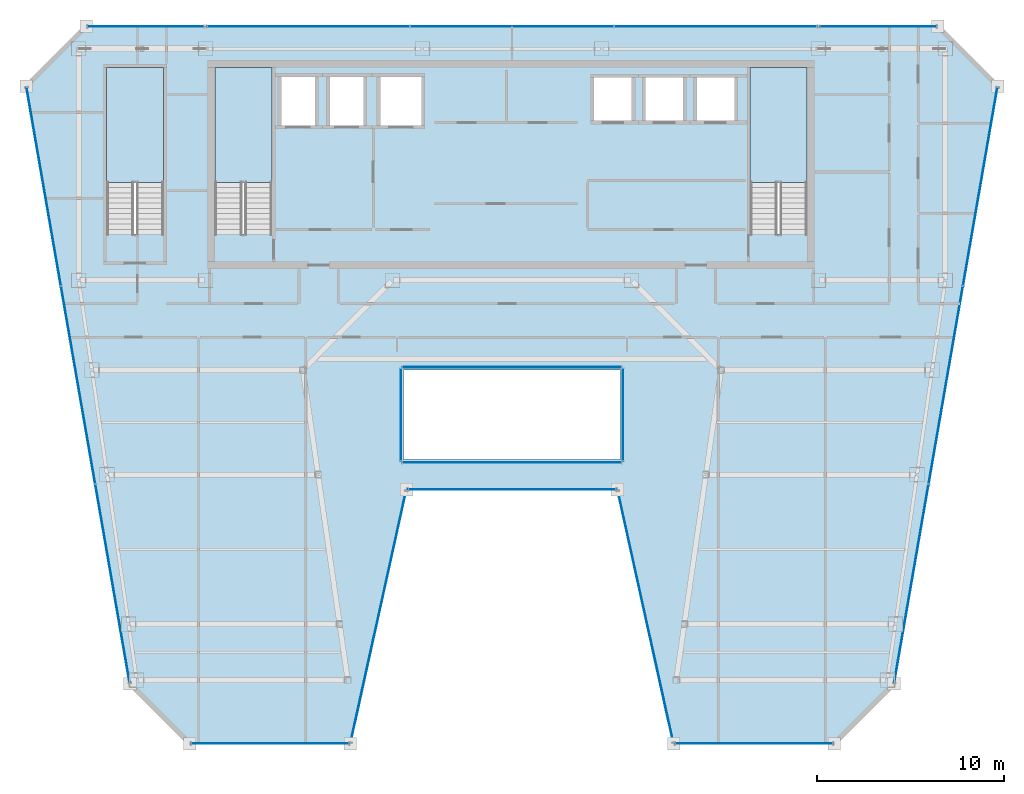
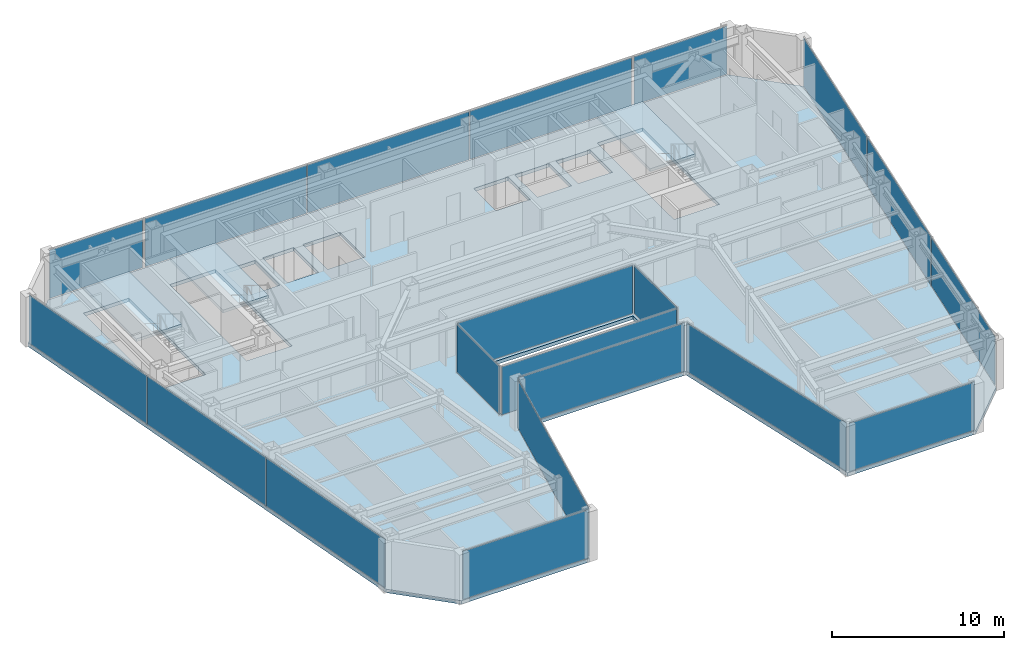
# One storey, part 24 of 32: 20 plates, 4 slabs, 17 elements without a shape of their own.
"""IFC4 building model written with IfcOpenShell, lengths in metres."""

from ifc_helpers import new_model, si_unit, direction, frame, origin, origin_2d, place, context, subcontext, project, spatial, polyline, rectangle, outline, extrude, material, layer, layer_set, type_object, element, aggregate, save


model = new_model("IFC4")

# Units and contexts
model_context = context("Model", 3, precision=1e-05, world=origin(), true_north=direction((0.0, 1.0)))
body_context = subcontext(model_context, "Body", "Model", "MODEL_VIEW")
ifc_project = project(units=[si_unit("LENGTHUNIT", "METRE"), si_unit("AREAUNIT", "SQUARE_METRE"), si_unit("VOLUMEUNIT", "CUBIC_METRE"), si_unit("PLANEANGLEUNIT", "RADIAN"), si_unit("MASSUNIT", "GRAM", prefix="KILO")], contexts=[model_context])

# Site, building, storey
site_placement = place(None, origin())
site = spatial("IfcSite", under=ifc_project, at=site_placement, CompositionType="ELEMENT")
building_placement = place(site_placement, origin())
building = spatial("IfcBuilding", under=site, at=building_placement, Name="Saevonmaru Cultural Tower", CompositionType="ELEMENT")
storey_placement = place(building_placement, frame((0.0, 0.0, 245.800048828125)))
storey = spatial("IfcBuildingStorey", under=building, at=storey_placement, Name="L57", CompositionType="ELEMENT", Elevation=245.800048828125)

# Curtain wall, plate
ifc_material_1 = material(Name="Satin Bronze Anodised Aluminium", Category="aluminium")
curtain_wall_type_1 = type_object("IfcCurtainWallType", Name="CW-ATR-GLZ", PredefinedType="NOTDEFINED", material=ifc_material_1)
curtain_wall_1_placement = place(storey_placement, origin())
curtain_wall_1 = element("IfcCurtainWall", 1, at=curtain_wall_1_placement, inside=storey, type_object=curtain_wall_type_1, Name="L57 Vertical Atrium Glazed Smoke Screen 1", PredefinedType="NOTDEFINED")
ifc_material_2 = material(Name="Fire-Rated Laminated Atrium Glass", Category="glass")
ifc_layer_1 = layer(ifc_material_2, 0.031982421875, Name="Fire-Rated Laminated Atrium Glass")
ifc_layer_set_1 = layer_set([ifc_layer_1], Name="Fire-Rated Laminated Atrium Glass")
plate_type_1 = type_object("IfcPlateType", Name="PN-GLZ-ATR-INT", PredefinedType="CURTAIN_PANEL", material=ifc_layer_set_1)
plate_1_placement = place(storey_placement, frame((30.0, 32.64990234375, 0.06689453125), z_axis=(0.0, 0.0, 1.0), x_axis=(1.0, 0.0, 0.0)))
plate_1 = element("IfcPlate", 2, at=plate_1_placement, type_object=plate_type_1, Name="CW-ATR-L57-1 panel 1.1", PredefinedType="CURTAIN_PANEL", context=body_context, shape_type="SweptSolid", body=[
    extrude(rectangle(XDim=11.7109375, YDim=0.031982421875, at=origin_2d()), origin(), (0.0, 0.0, 1.0), 3.416015625),
])
aggregate(curtain_wall_1, [plate_1])

curtain_wall_2_placement = place(storey_placement, origin())
curtain_wall_2 = element("IfcCurtainWall", 3, at=curtain_wall_2_placement, inside=storey, type_object=curtain_wall_type_1, Name="L57 Vertical Atrium Glazed Smoke Screen 2", PredefinedType="NOTDEFINED")
plate_2_placement = place(storey_placement, frame((35.949951171875, 35.199951171875, 0.06689453125), z_axis=(0.0, 0.0, 1.0), x_axis=(0.0, 1.0, 0.0)))
plate_2 = element("IfcPlate", 4, at=plate_2_placement, type_object=plate_type_1, Name="CW-ATR-L57-2 panel 1.1", PredefinedType="CURTAIN_PANEL", context=body_context, shape_type="SweptSolid", body=[
    extrude(rectangle(XDim=4.910888671875, YDim=0.031982421875, at=origin_2d()), origin(), (0.0, 0.0, 1.0), 3.416015625),
])
aggregate(curtain_wall_2, [plate_2])

curtain_wall_3_placement = place(storey_placement, origin())
curtain_wall_3 = element("IfcCurtainWall", 5, at=curtain_wall_3_placement, inside=storey, type_object=curtain_wall_type_1, Name="L57 Vertical Atrium Glazed Smoke Screen 3", PredefinedType="NOTDEFINED")
plate_3_placement = place(storey_placement, frame((30.0, 37.75, 0.06689453125), z_axis=(0.0, 0.0, 1.0), x_axis=(-1.0, 0.0, 0.0)))
plate_3 = element("IfcPlate", 6, at=plate_3_placement, type_object=plate_type_1, Name="CW-ATR-L57-3 panel 1.1", PredefinedType="CURTAIN_PANEL", context=body_context, shape_type="SweptSolid", body=[
    extrude(rectangle(XDim=11.7109375, YDim=0.031982421875, at=origin_2d()), origin(), (0.0, 0.0, 1.0), 3.416015625),
])
aggregate(curtain_wall_3, [plate_3])

curtain_wall_4_placement = place(storey_placement, origin())
curtain_wall_4 = element("IfcCurtainWall", 7, at=curtain_wall_4_placement, inside=storey, type_object=curtain_wall_type_1, Name="L57 Vertical Atrium Glazed Smoke Screen 4", PredefinedType="NOTDEFINED")
plate_4_placement = place(storey_placement, frame((24.050048828125, 35.199951171875, 0.06689453125), z_axis=(0.0, 0.0, 1.0), x_axis=(0.0, -1.0, 0.0)))
plate_4 = element("IfcPlate", 8, at=plate_4_placement, type_object=plate_type_1, Name="CW-ATR-L57-4 panel 1.1", PredefinedType="CURTAIN_PANEL", context=body_context, shape_type="SweptSolid", body=[
    extrude(rectangle(XDim=4.910888671875, YDim=0.031982421875, at=origin_2d()), origin(), (0.0, 0.0, 1.0), 3.416015625),
])
aggregate(curtain_wall_4, [plate_4])

curtain_wall_type_2 = type_object("IfcCurtainWallType", Name="CW-TYP-B", PredefinedType="NOTDEFINED", material=ifc_material_1)
curtain_wall_5_placement = place(storey_placement, origin())
curtain_wall_5 = element("IfcCurtainWall", 9, at=curtain_wall_5_placement, inside=storey, type_object=curtain_wall_type_2, Name="L57 Unitised Curtain Wall E2", PredefinedType="NOTDEFINED")
ifc_material_3 = material(Name="Triple Silver Low-E Insulating Glass", Category="glass")
ifc_layer_2 = layer(ifc_material_3, 0.035888671875, Name="Triple Silver Low-E Insulating Glass")
ifc_layer_set_2 = layer_set([ifc_layer_2], Name="Triple Silver Low-E Insulating Glass")
plate_type_2 = type_object("IfcPlateType", Name="PN-GLZ-IGU", PredefinedType="CURTAIN_PANEL", material=ifc_layer_set_2)
plate_5_placement = place(storey_placement, frame((17.046630859375, 17.60009765625, 0.06689453125), z_axis=(0.0, 0.0, 1.0), x_axis=(1.0, 0.0, 0.0)))
plate_5 = element("IfcPlate", 10, at=plate_5_placement, type_object=plate_type_2, Name="CW-TW-L57-E2 panel 1.1", PredefinedType="CURTAIN_PANEL", context=body_context, shape_type="SweptSolid", body=[
    extrude(rectangle(XDim=8.410888671875, YDim=0.035888671875, at=origin_2d()), origin(), (0.0, 0.0, 1.0), 3.416015625),
])
aggregate(curtain_wall_5, [plate_5])

curtain_wall_6_placement = place(storey_placement, origin())
curtain_wall_6 = element("IfcCurtainWall", 11, at=curtain_wall_6_placement, inside=storey, type_object=curtain_wall_type_2, Name="L57 Unitised Curtain Wall E3", PredefinedType="NOTDEFINED")
plate_6_placement = place(storey_placement, frame((22.8466796875, 24.39990234375, 0.06689453125), z_axis=(0.0, 0.0, 1.0), x_axis=(0.215413319953, 0.976522965212, 0.0)))
plate_6 = element("IfcPlate", 12, at=plate_6_placement, type_object=plate_type_2, Name="CW-TW-L57-E3 panel 1.1", PredefinedType="CURTAIN_PANEL", context=body_context, shape_type="SweptSolid", body=[
    extrude(rectangle(XDim=13.738037109375, YDim=0.035888671875, at=origin_2d()), origin(), (0.0, 0.0, 1.0), 3.416015625),
])
aggregate(curtain_wall_6, [plate_6])

curtain_wall_7_placement = place(storey_placement, origin())
curtain_wall_7 = element("IfcCurtainWall", 13, at=curtain_wall_7_placement, inside=storey, type_object=curtain_wall_type_2, Name="L57 Unitised Curtain Wall E4", PredefinedType="NOTDEFINED")
plate_7_placement = place(storey_placement, frame((30.0, 31.199951171875, 0.06689453125), z_axis=(0.0, 0.0, 1.0), x_axis=(1.0, 0.0, 0.0)))
plate_7 = element("IfcPlate", 14, at=plate_7_placement, type_object=plate_type_2, Name="CW-TW-L57-E4 panel 1.1", PredefinedType="CURTAIN_PANEL", context=body_context, shape_type="SweptSolid", body=[
    extrude(rectangle(XDim=11.11767578125, YDim=0.035888671875, at=origin_2d()), origin(), (0.0, 0.0, 1.0), 3.416015625),
])
aggregate(curtain_wall_7, [plate_7])

curtain_wall_8_placement = place(storey_placement, origin())
curtain_wall_8 = element("IfcCurtainWall", 15, at=curtain_wall_8_placement, inside=storey, type_object=curtain_wall_type_2, Name="L57 Unitised Curtain Wall E5", PredefinedType="NOTDEFINED")
plate_8_placement = place(storey_placement, frame((37.1533203125, 24.39990234375, 0.06689453125), z_axis=(0.0, 0.0, 1.0), x_axis=(0.215413319953, -0.976522965212, 0.0)))
plate_8 = element("IfcPlate", 16, at=plate_8_placement, type_object=plate_type_2, Name="CW-TW-L57-E5 panel 1.1", PredefinedType="CURTAIN_PANEL", context=body_context, shape_type="SweptSolid", body=[
    extrude(rectangle(XDim=13.738037109375, YDim=0.035888671875, at=origin_2d()), origin(), (0.0, 0.0, 1.0), 3.416015625),
])
aggregate(curtain_wall_8, [plate_8])

curtain_wall_9_placement = place(storey_placement, origin())
curtain_wall_9 = element("IfcCurtainWall", 17, at=curtain_wall_9_placement, inside=storey, type_object=curtain_wall_type_2, Name="L57 Unitised Curtain Wall E6", PredefinedType="NOTDEFINED")
plate_9_placement = place(storey_placement, frame((42.953369140625, 17.60009765625, 0.06689453125), z_axis=(0.0, 0.0, 1.0), x_axis=(1.0, 0.0, 0.0)))
plate_9 = element("IfcPlate", 18, at=plate_9_placement, type_object=plate_type_2, Name="CW-TW-L57-E6 panel 1.1", PredefinedType="CURTAIN_PANEL", context=body_context, shape_type="SweptSolid", body=[
    extrude(rectangle(XDim=8.410888671875, YDim=0.035888671875, at=origin_2d()), origin(), (0.0, 0.0, 1.0), 3.416015625),
])
aggregate(curtain_wall_9, [plate_9])

# Curtain wall, plates
curtain_wall_10_placement = place(storey_placement, origin())
curtain_wall_10 = element("IfcCurtainWall", 19, at=curtain_wall_10_placement, inside=storey, type_object=curtain_wall_type_2, Name="L57 Unitised Curtain Wall E8", PredefinedType="NOTDEFINED")
plate_10_placement = place(storey_placement, frame((51.384521484375, 26.1728515625, 0.06689453125), z_axis=(0.0, 0.0, 1.0), x_axis=(0.170790369887, 0.985307388359, 0.0)))
plate_10 = element("IfcPlate", 20, at=plate_10_placement, type_object=plate_type_2, Name="CW-TW-L57-E8 panel 1.1", PredefinedType="CURTAIN_PANEL", context=body_context, shape_type="SweptSolid", body=[
    extrude(rectangle(XDim=10.716796875, YDim=0.035888671875, at=origin_2d()), origin(), (0.0, 0.0, 1.0), 3.416015625),
])
plate_11_placement = place(storey_placement, frame((53.2265625, 36.800048828125, 0.06689453125), z_axis=(0.0, 0.0, 1.0), x_axis=(0.170790369887, 0.985307388359, 0.0)))
plate_11 = element("IfcPlate", 21, at=plate_11_placement, type_object=plate_type_2, Name="CW-TW-L57-E8 panel 2.1", PredefinedType="CURTAIN_PANEL", context=body_context, shape_type="SweptSolid", body=[
    extrude(rectangle(XDim=10.716796875, YDim=0.035888671875, at=origin_2d()), origin(), (0.0, 0.0, 1.0), 3.416015625),
])
plate_12_placement = place(storey_placement, frame((55.06884765625, 47.42724609375, 0.06689453125), z_axis=(0.0, 0.0, 1.0), x_axis=(0.170790369887, 0.985307388359, 0.0)))
plate_12 = element("IfcPlate", 22, at=plate_12_placement, type_object=plate_type_2, Name="CW-TW-L57-E8 panel 3.1", PredefinedType="CURTAIN_PANEL", context=body_context, shape_type="SweptSolid", body=[
    extrude(rectangle(XDim=10.716796875, YDim=0.035888671875, at=origin_2d()), origin(), (0.0, 0.0, 1.0), 3.416015625),
])
aggregate(curtain_wall_10, [plate_10, plate_11, plate_12])

curtain_wall_11_placement = place(storey_placement, origin())
curtain_wall_11 = element("IfcCurtainWall", 23, at=curtain_wall_11_placement, inside=storey, type_object=curtain_wall_type_2, Name="L57 North Spine Unitised Curtain Wall E10B", PredefinedType="NOTDEFINED")
plate_13_placement = place(storey_placement, frame((40.893310546875, 56.0, 0.06689453125), z_axis=(0.0, 0.0, 1.0), x_axis=(-1.0, 0.0, 0.0)))
plate_13 = element("IfcPlate", 24, at=plate_13_placement, type_object=plate_type_2, Name="CW-TW-L57-E10B panel 1.1", PredefinedType="CURTAIN_PANEL", context=body_context, shape_type="SweptSolid", body=[
    extrude(rectangle(XDim=10.82421875, YDim=0.035888671875, at=origin_2d()), origin(), (0.0, 0.0, 1.0), 3.416015625),
])
plate_14_placement = place(storey_placement, frame((30.0, 56.0, 0.06689453125), z_axis=(0.0, 0.0, 1.0), x_axis=(-1.0, 0.0, 0.0)))
plate_14 = element("IfcPlate", 25, at=plate_14_placement, type_object=plate_type_2, Name="CW-TW-L57-E10B panel 2.1", PredefinedType="CURTAIN_PANEL", context=body_context, shape_type="SweptSolid", body=[
    extrude(rectangle(XDim=10.82421875, YDim=0.035888671875, at=origin_2d()), origin(), (0.0, 0.0, 1.0), 3.416015625),
])
plate_15_placement = place(storey_placement, frame((19.106689453125, 56.0, 0.06689453125), z_axis=(0.0, 0.0, 1.0), x_axis=(-1.0, 0.0, 0.0)))
plate_15 = element("IfcPlate", 26, at=plate_15_placement, type_object=plate_type_2, Name="CW-TW-L57-E10B panel 3.1", PredefinedType="CURTAIN_PANEL", context=body_context, shape_type="SweptSolid", body=[
    extrude(rectangle(XDim=10.82421875, YDim=0.035888671875, at=origin_2d()), origin(), (0.0, 0.0, 1.0), 3.416015625),
])
aggregate(curtain_wall_11, [plate_13, plate_14, plate_15])

curtain_wall_12_placement = place(storey_placement, origin())
curtain_wall_12 = element("IfcCurtainWall", 27, at=curtain_wall_12_placement, inside=storey, type_object=curtain_wall_type_2, Name="L57 Unitised Curtain Wall E12", PredefinedType="NOTDEFINED")
plate_16_placement = place(storey_placement, frame((4.93115234375, 47.42724609375, 0.06689453125), z_axis=(0.0, 0.0, 1.0), x_axis=(0.170790369887, -0.985307388359, 0.0)))
plate_16 = element("IfcPlate", 28, at=plate_16_placement, type_object=plate_type_2, Name="CW-TW-L57-E12 panel 1.1", PredefinedType="CURTAIN_PANEL", context=body_context, shape_type="SweptSolid", body=[
    extrude(rectangle(XDim=10.716796875, YDim=0.035888671875, at=origin_2d()), origin(), (0.0, 0.0, 1.0), 3.416015625),
])
plate_17_placement = place(storey_placement, frame((6.7734375, 36.800048828125, 0.06689453125), z_axis=(0.0, 0.0, 1.0), x_axis=(0.170790369887, -0.985307388359, 0.0)))
plate_17 = element("IfcPlate", 29, at=plate_17_placement, type_object=plate_type_2, Name="CW-TW-L57-E12 panel 2.1", PredefinedType="CURTAIN_PANEL", context=body_context, shape_type="SweptSolid", body=[
    extrude(rectangle(XDim=10.716796875, YDim=0.035888671875, at=origin_2d()), origin(), (0.0, 0.0, 1.0), 3.416015625),
])
plate_18_placement = place(storey_placement, frame((8.615478515625, 26.1728515625, 0.06689453125), z_axis=(0.0, 0.0, 1.0), x_axis=(0.170790369887, -0.985307388359, 0.0)))
plate_18 = element("IfcPlate", 30, at=plate_18_placement, type_object=plate_type_2, Name="CW-TW-L57-E12 panel 3.1", PredefinedType="CURTAIN_PANEL", context=body_context, shape_type="SweptSolid", body=[
    extrude(rectangle(XDim=10.716796875, YDim=0.035888671875, at=origin_2d()), origin(), (0.0, 0.0, 1.0), 3.416015625),
])
aggregate(curtain_wall_12, [plate_16, plate_17, plate_18])

# Curtain wall, plate
curtain_wall_13_placement = place(storey_placement, origin())
curtain_wall_13 = element("IfcCurtainWall", 31, at=curtain_wall_13_placement, inside=storey, type_object=curtain_wall_type_2, Name="L57 East Braced Bay Spandrel Curtain Wall E10A", PredefinedType="NOTDEFINED")
ifc_material_4 = material(Name="Insulated Satin Bronze Aluminium Spandrel Panel", Category="aluminium")
ifc_layer_3 = layer(ifc_material_4, 0.0400390625, Name="Insulated Satin Bronze Aluminium Spandrel Panel")
ifc_layer_set_3 = layer_set([ifc_layer_3], Name="Insulated Satin Bronze Aluminium Spandrel Panel")
plate_type_3 = type_object("IfcPlateType", Name="PN-SPANDREL-BRONZE", PredefinedType="CURTAIN_PANEL", material=ifc_layer_set_3)
plate_19_placement = place(storey_placement, frame((49.60009765625, 56.0, 0.06689453125), z_axis=(0.0, 0.0, 1.0), x_axis=(-1.0, 0.0, 0.0)))
plate_19 = element("IfcPlate", 32, at=plate_19_placement, type_object=plate_type_3, Name="CW-TW-L57-E10A panel 1.1", PredefinedType="CURTAIN_PANEL", context=body_context, shape_type="SweptSolid", body=[
    extrude(rectangle(XDim=6.2109375, YDim=0.035888671875, at=origin_2d()), origin(), (0.0, 0.0, 1.0), 3.416015625),
])
aggregate(curtain_wall_13, [plate_19])

curtain_wall_14_placement = place(storey_placement, origin())
curtain_wall_14 = element("IfcCurtainWall", 33, at=curtain_wall_14_placement, inside=storey, type_object=curtain_wall_type_2, Name="L57 West Braced Bay Spandrel Curtain Wall E10C", PredefinedType="NOTDEFINED")
plate_20_placement = place(storey_placement, frame((10.39990234375, 56.0, 0.06689453125), z_axis=(0.0, 0.0, 1.0), x_axis=(-1.0, 0.0, 0.0)))
plate_20 = element("IfcPlate", 34, at=plate_20_placement, type_object=plate_type_3, Name="CW-TW-L57-E10C panel 1.1", PredefinedType="CURTAIN_PANEL", context=body_context, shape_type="SweptSolid", body=[
    extrude(rectangle(XDim=6.2109375, YDim=0.035888671875, at=origin_2d()), origin(), (0.0, 0.0, 1.0), 3.416015625),
])
aggregate(curtain_wall_14, [plate_20])

# Slab
ifc_material_5 = material(Name="Concrete C40/50", Category="concrete")
ifc_layer_4 = layer(ifc_material_5, 0.25, Name="Concrete C40/50")
ifc_layer_set_4 = layer_set([ifc_layer_4], Name="Concrete C40/50")
slab_type_1 = type_object("IfcSlabType", Name="SL-FLR-250", PredefinedType="FLOOR", material=ifc_layer_set_4)
slab_1_placement = place(storey_placement, frame((0.0, 0.0, -0.25)))
element("IfcSlab", 35, at=slab_1_placement, inside=storey, type_object=slab_type_1, Name="L57 Tower Structural Floor Slab", PredefinedType="FLOOR", context=body_context, shape_type="SweptSolid", body=[
    extrude(outline(polyline([(9.546630859375, 20.800048828125), (12.74658203125, 17.60009765625), (21.3466796875, 17.60009765625), (24.3466796875, 31.199951171875), (35.6533203125, 31.199951171875), (38.6533203125, 17.60009765625), (47.25341796875, 17.60009765625), (50.453369140625, 20.800048828125), (56.0, 52.800048828125), (52.800048828125, 56.0), (7.199951171875, 56.0), (4.0, 52.800048828125), (9.546630859375, 20.800048828125)]), holes=[polyline([(45.800048828125, 44.875), (42.75, 44.875), (42.75, 53.800048828125), (45.800048828125, 53.800048828125), (45.800048828125, 44.875)]), polyline([(39.75, 50.800048828125), (39.75, 53.39990234375), (42.050048828125, 53.39990234375), (42.050048828125, 50.800048828125), (39.75, 50.800048828125)]), polyline([(37.0, 50.800048828125), (37.0, 53.39990234375), (39.300048828125, 53.39990234375), (39.300048828125, 50.800048828125), (37.0, 50.800048828125)]), polyline([(36.550048828125, 50.800048828125), (34.25, 50.800048828125), (34.25, 53.39990234375), (36.550048828125, 53.39990234375), (36.550048828125, 50.800048828125)]), polyline([(35.800048828125, 32.800048828125), (24.199951171875, 32.800048828125), (24.199951171875, 37.60009765625), (35.800048828125, 37.60009765625), (35.800048828125, 32.800048828125)]), polyline([(25.300048828125, 50.550048828125), (22.800048828125, 50.550048828125), (22.800048828125, 53.449951171875), (25.300048828125, 53.449951171875), (25.300048828125, 50.550048828125)]), polyline([(22.199951171875, 50.550048828125), (20.10009765625, 50.550048828125), (20.10009765625, 53.449951171875), (22.199951171875, 53.449951171875), (22.199951171875, 50.550048828125)]), polyline([(17.5, 50.550048828125), (17.5, 53.449951171875), (19.60009765625, 53.449951171875), (19.60009765625, 50.550048828125), (17.5, 50.550048828125)]), polyline([(17.14990234375, 53.800048828125), (17.14990234375, 44.875), (14.10009765625, 44.875), (14.10009765625, 53.800048828125), (17.14990234375, 53.800048828125)]), polyline([(11.35009765625, 53.800048828125), (11.35009765625, 44.875), (8.300048828125, 44.875), (8.300048828125, 53.800048828125), (11.35009765625, 53.800048828125)])]), origin(), (0.0, 0.0, 1.0), 0.25),
])

# Stair, slab
stair_type = type_object("IfcStairType", Name="STR-DOGLEG-RC", PredefinedType="HALF_TURN_STAIR", material=ifc_material_5)
stair_1_placement = place(storey_placement, origin())
stair_1 = element("IfcStair", 36, at=stair_1_placement, inside=storey, type_object=stair_type, Name="L57 Protected exit stair ST-1", PredefinedType="HALF_TURN_STAIR")
ifc_layer_5 = layer(ifc_material_5, 0.199951171875, Name="Concrete C40/50")
ifc_layer_set_5 = layer_set([ifc_layer_5], Name="Concrete C40/50")
slab_type_2 = type_object("IfcSlabType", Name="SL-STAIR-LANDING", PredefinedType="LANDING", material=ifc_layer_set_5)
slab_2_placement = place(storey_placement, frame((0.0, 0.0, 1.699951171875)))
slab_2 = element("IfcSlab", 37, at=slab_2_placement, type_object=slab_type_2, Name="ST-1-L57 landing 1", PredefinedType="LANDING", context=body_context, shape_type="SweptSolid", body=[
    extrude(outline(polyline([(17.14990234375, 47.64990234375), (17.14990234375, 53.800048828125), (14.10009765625, 53.800048828125), (14.10009765625, 47.64990234375), (17.14990234375, 47.64990234375)])), origin(), (0.0, 0.0, 1.0), 0.199951171875),
])
aggregate(stair_1, [slab_2])

stair_2_placement = place(storey_placement, origin())
stair_2 = element("IfcStair", 38, at=stair_2_placement, inside=storey, type_object=stair_type, Name="L57 Protected exit stair ST-2", PredefinedType="HALF_TURN_STAIR")
slab_3_placement = place(storey_placement, frame((0.0, 0.0, 1.699951171875)))
slab_3 = element("IfcSlab", 39, at=slab_3_placement, type_object=slab_type_2, Name="ST-2-L57 landing 1", PredefinedType="LANDING", context=body_context, shape_type="SweptSolid", body=[
    extrude(outline(polyline([(45.800048828125, 47.64990234375), (45.800048828125, 53.800048828125), (42.75, 53.800048828125), (42.75, 47.64990234375), (45.800048828125, 47.64990234375)])), origin(), (0.0, 0.0, 1.0), 0.199951171875),
])
aggregate(stair_2, [slab_3])

stair_3_placement = place(storey_placement, origin())
stair_3 = element("IfcStair", 40, at=stair_3_placement, inside=storey, type_object=stair_type, Name="L57 Protected exit stair ST-3", PredefinedType="HALF_TURN_STAIR")
slab_4_placement = place(storey_placement, frame((0.0, 0.0, 1.699951171875)))
slab_4 = element("IfcSlab", 41, at=slab_4_placement, type_object=slab_type_2, Name="ST-3-L57 landing 1", PredefinedType="LANDING", context=body_context, shape_type="SweptSolid", body=[
    extrude(outline(polyline([(11.35009765625, 47.64990234375), (11.35009765625, 53.800048828125), (8.300048828125, 53.800048828125), (8.300048828125, 47.64990234375), (11.35009765625, 47.64990234375)])), origin(), (0.0, 0.0, 1.0), 0.199951171875),
])
aggregate(stair_3, [slab_4])

save(model, "model.ifc")
